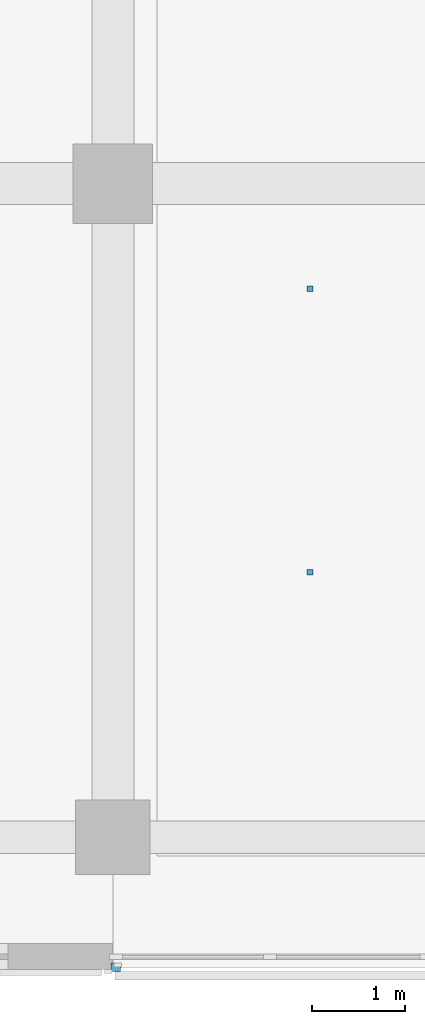
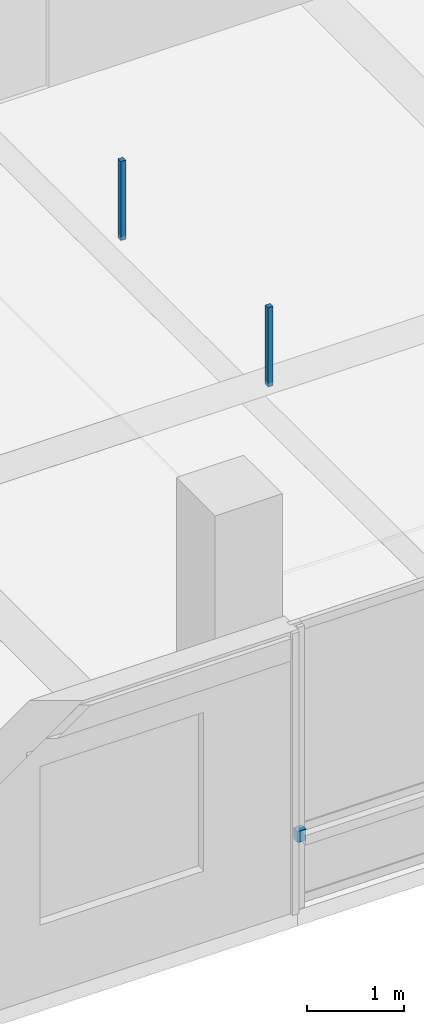
# One storey, part 15 of 36: 3 discrete accessories.
"""IFC4 building model written with IfcOpenShell, lengths in metres."""

from ifc_helpers import new_model, si_unit, direction, frame, origin, origin_2d, place, context, subcontext, project, spatial, rectangle, extrude, material, type_object, element, save


model = new_model("IFC4")

# Units and contexts
model_context = context("Model", 3, precision=1e-05, world=origin(), true_north=direction((0.0, 1.0)))
body_context = subcontext(model_context, "Body", "Model", "MODEL_VIEW")
ifc_project = project(units=[si_unit("LENGTHUNIT", "METRE"), si_unit("AREAUNIT", "SQUARE_METRE"), si_unit("VOLUMEUNIT", "CUBIC_METRE"), si_unit("PLANEANGLEUNIT", "RADIAN"), si_unit("MASSUNIT", "GRAM", prefix="KILO")], contexts=[model_context])

# Site, building, storey
site_placement = place(None, origin())
site = spatial("IfcSite", under=ifc_project, at=site_placement, CompositionType="ELEMENT")
building_placement = place(site_placement, origin())
building = spatial("IfcBuilding", under=site, at=building_placement, Name="Telukmera Botanical Conservatory", CompositionType="ELEMENT")
storey_placement = place(building_placement, frame((0.0, 0.0, 33.0)))
storey = spatial("IfcBuildingStorey", under=building, at=storey_placement, Name="L07", CompositionType="ELEMENT", Elevation=33.0)

# Discrete accessories
ifc_material = material(Name="Steel S355", Category="steel")
discrete_accessory_type_1 = type_object("IfcDiscreteAccessoryType", Name="ACC-CEIL-HGR", PredefinedType="BRACKET", material=ifc_material)
for number, where, z_axis, x_axis, name in (
    (1, (77.711181640625, 13.4375, 3.31005859375), (0.0, 0.0, 1.0), (1.0, 0.0, 0.0), "L07 Suspended Ceiling Hanger Rod 024-1"),
    (2, (77.711181640625, 16.47509765625, 3.31005859375), (0.0, 0.0, 1.0), (1.0, 0.0, 0.0), "L07 Suspended Ceiling Hanger Rod 024-2"),
):
    element("IfcDiscreteAccessory", number, at=place(storey_placement, frame(where, z_axis=z_axis, x_axis=x_axis)), inside=storey, type_object=discrete_accessory_type_1, Name=name, PredefinedType="BRACKET", context=body_context, shape_type="SweptSolid", body=[
        extrude(rectangle(XDim=0.06005859375, YDim=0.06005859375, at=origin_2d()), origin(), (0.0, 0.0, 1.0), 0.9951171875),
    ])
discrete_accessory_type_2 = type_object("IfcDiscreteAccessoryType", Name="Structural Steel Facade Outrigger Fin Bracket", PredefinedType="BRACKET", material=ifc_material)
discrete_accessory_placement = place(storey_placement, frame((75.632080078125, 9.205078125, 0.8798828125), z_axis=(0.0, 0.0, 1.0), x_axis=(1.0, 0.0, 0.0)))
element("IfcDiscreteAccessory", 3, at=discrete_accessory_placement, inside=storey, type_object=discrete_accessory_type_2, Name="Facade Outrigger Bracket V4:L07:S4 A", PredefinedType="BRACKET", context=body_context, shape_type="SweptSolid", body=[
    extrude(rectangle(XDim=0.10009765625, YDim=0.090087890625, at=origin_2d()), origin(), (0.0, 0.0, 1.0), 0.139892578125),
])

save(model, "model.ifc")
